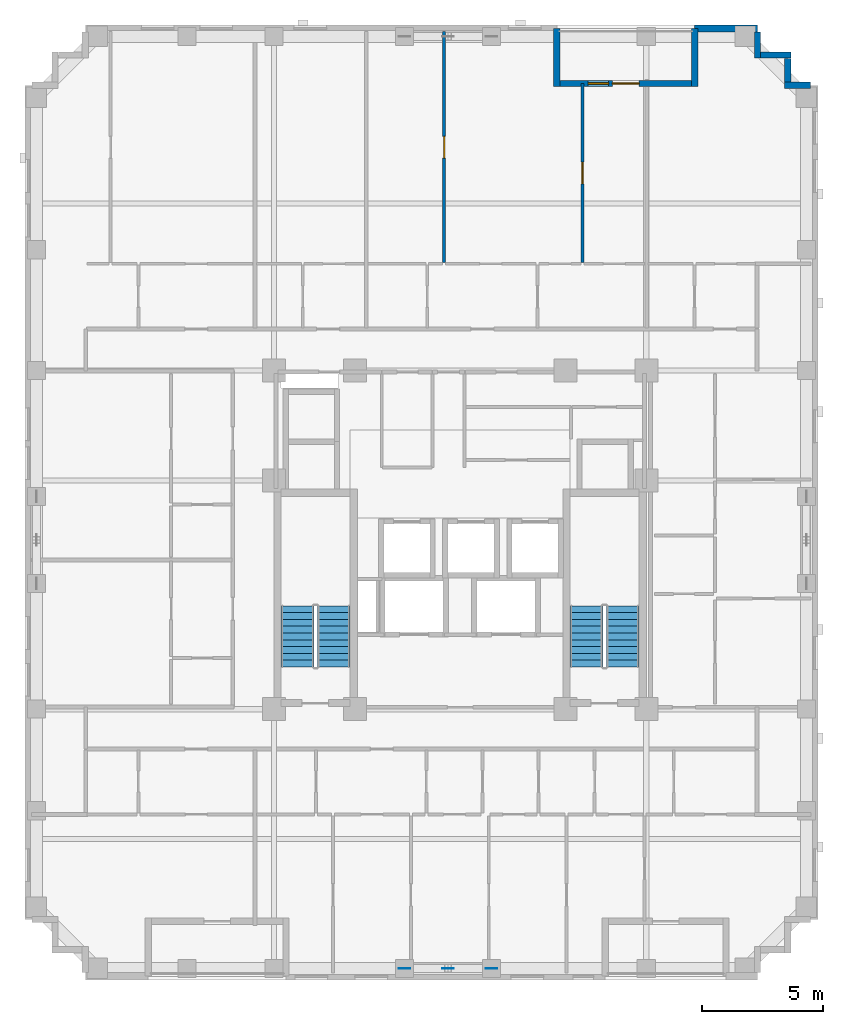
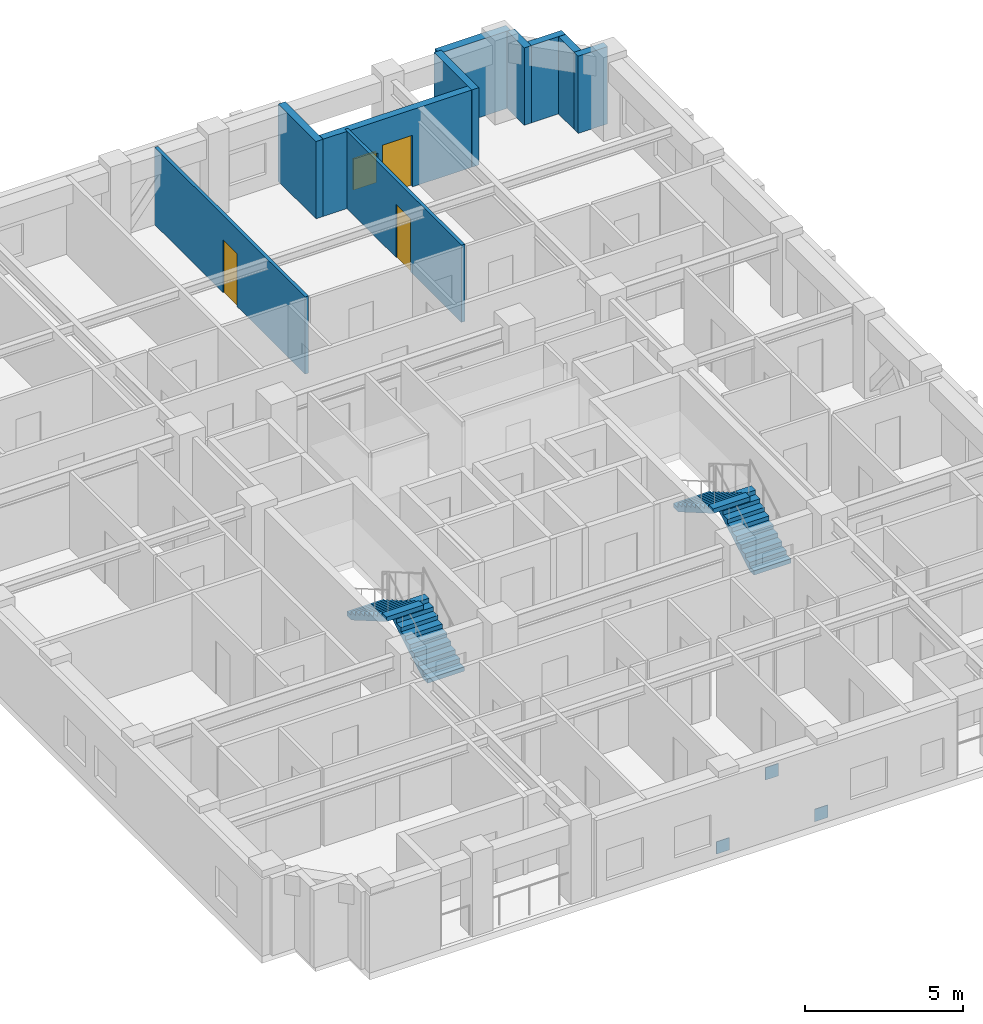
# One storey, part 8 of 11: 10 walls, 4 stair flights, 3 discrete accessories, 3 doors, 1 window, 4 openings, 2 elements without a shape of their own.
"""IFC4 building model written with IfcOpenShell, lengths in metres."""

from ifc_helpers import new_model, si_unit, derived_unit, direction, frame, frame_2d, origin, origin_2d, place, context, subcontext, project, spatial, polyline, rectangle, outline, extrude, material, layer, layer_set, type_object, element, fill, aggregate, save


model = new_model("IFC4")

# Units and contexts
model_context = context("Model", 3, precision=1e-05, world=origin(), true_north=direction((0.0, 1.0)))
body_context = subcontext(model_context, "Body", "Model", "MODEL_VIEW")
ifc_project = project(units=[si_unit("LENGTHUNIT", "METRE"), si_unit("AREAUNIT", "SQUARE_METRE"), si_unit("VOLUMEUNIT", "CUBIC_METRE"), si_unit("PLANEANGLEUNIT", "RADIAN"), si_unit("MASSUNIT", "GRAM", prefix="KILO"), derived_unit("THERMALTRANSMITTANCEUNIT", [(si_unit("MASSUNIT", "GRAM", prefix="KILO"), 1), (si_unit("TIMEUNIT", "SECOND"), -3), (si_unit("THERMODYNAMICTEMPERATUREUNIT", "KELVIN"), -1)])], contexts=[model_context])

# Site, building, storey
site_placement = place(None, origin())
site = spatial("IfcSite", under=ifc_project, at=site_placement, CompositionType="ELEMENT")
building_placement = place(site_placement, origin())
building = spatial("IfcBuilding", under=site, at=building_placement, Name="Korrvale Station Residences", CompositionType="ELEMENT")
storey_placement = place(building_placement, frame((0.0, 0.0, 140.64990234375)))
storey = spatial("IfcBuildingStorey", under=building, at=storey_placement, Name="L40", CompositionType="ELEMENT", Elevation=140.64990234375)

# Wall
ifc_material_1 = material(Name="Precast concrete C45/55", Category="concrete")
ifc_layer_1 = layer(ifc_material_1, 0.260009765625, Name="Precast concrete C45/55")
ifc_layer_set_1 = layer_set([ifc_layer_1], Name="Precast concrete C45/55")
wall_type_1 = type_object("IfcWallType", Name="WAL-EXT-LOG260", PredefinedType="SOLIDWALL", material=ifc_layer_set_1)
wall_1_placement = place(storey_placement, frame((29.5, 43.139892578125, 0.0), z_axis=(0.0, 0.0, 1.0), x_axis=(0.0, -1.0, 0.0)))
element("IfcWall", 1, at=wall_1_placement, inside=storey, type_object=wall_type_1, Name="L40 Recessed Loggia Wall BAL-L40-N1-L", PredefinedType="SOLIDWALL", context=body_context, shape_type="SweptSolid", body=[
    extrude(rectangle(XDim=2.39990234375, YDim=0.260009765625, at=frame_2d((1.199951171875, 0.0))), origin(), (0.0, 0.0, 1.0), 2.989990234375),
])

# Wall, openings, door, window
wall_2_placement = place(storey_placement, frame((29.634033203125, 40.8701171875, 0.0), z_axis=(0.0, 0.0, 1.0), x_axis=(1.0, 0.0, 0.0)))
wall_2 = element("IfcWall", 2, at=wall_2_placement, inside=storey, type_object=wall_type_1, Name="L40 Recessed Loggia Wall BAL-L40-N1-B", PredefinedType="SOLIDWALL", context=body_context, shape_type="SweptSolid", body=[
    extrude(rectangle(XDim=5.431884765625, YDim=0.260009765625, at=frame_2d((2.7158203125, 0.0))), origin(), (0.0, 0.0, 1.0), 2.989990234375),
])
opening_1_placement = place(wall_2_placement, frame((2.166015625, 0.0, 0.0)))
opening_1 = element("IfcOpeningElement", 3, at=opening_1_placement, cuts=wall_2, Name="Opening BD-01", PredefinedType="OPENING", context=body_context, shape_type="SweptSolid", body=[
    extrude(rectangle(XDim=1.10009765625, YDim=2.0, at=frame_2d((0.550048828125, 1.0))), frame((0.0, 0.14013671875, 0.0), z_axis=(0.0, -1.0, 0.0), x_axis=(1.0, 0.0, 0.0)), (0.0, 0.0, 1.0), 0.280029296875),
])
opening_2_placement = place(wall_2_placement, frame((1.156005859375, 0.0, 0.550048828125)))
opening_2 = element("IfcOpeningElement", 4, at=opening_2_placement, cuts=wall_2, Name="Opening W-11", PredefinedType="OPENING", context=body_context, shape_type="SweptSolid", body=[
    extrude(rectangle(XDim=0.85009765625, YDim=1.199951171875, at=frame_2d((0.425048828125, 0.60009765625))), frame((0.0, 0.14013671875, 0.0), z_axis=(0.0, -1.0, 0.0), x_axis=(1.0, 0.0, 0.0)), (0.0, 0.0, 1.0), 0.280029296875),
])
ifc_material_2 = material(Name="Exterior thermally broken aluminium glazed balcony door", Category="aluminium")
door_type_1 = type_object("IfcDoorType", Name="DR-EXT-BAL", OperationType="NOTDEFINED", PredefinedType="DOOR", material=ifc_material_2)
door_1_placement = place(opening_1_placement, origin())
door_1 = element("IfcDoor", 5, at=door_1_placement, inside=storey, type_object=door_type_1, Name="L40 Loggia Balcony Door BAL-L40-N1", OperationType="SINGLE_SWING_LEFT", OverallHeight=2.0, OverallWidth=1.10009765625, PredefinedType="DOOR", context=body_context, shape_type="SweptSolid", body=[
    extrude(rectangle(XDim=1.10009765625, YDim=2.0, at=frame_2d((0.550048828125, 1.0))), frame((0.0, 0.02490234375, 0.0), z_axis=(0.0, -1.0, 0.0), x_axis=(1.0, 0.0, 0.0)), (0.0, 0.0, 1.0), 0.050048828125),
])
fill(opening_1, door_1)
ifc_material_3 = material(Name="Thermally broken aluminium frame with triple low-e glazing", Category="aluminium")
window_type = type_object("IfcWindowType", Name="WIN-W11", PartitioningType="SINGLE_PANEL", PredefinedType="WINDOW", material=ifc_material_3)
window_placement = place(opening_2_placement, origin())
window = element("IfcWindow", 6, at=window_placement, inside=storey, type_object=window_type, Name="L40 Punched Window 13", OverallHeight=1.199951171875, OverallWidth=0.85009765625, PartitioningType="SINGLE_PANEL", PredefinedType="WINDOW", context=body_context, shape_type="SweptSolid", body=[
    extrude(rectangle(XDim=0.85009765625, YDim=1.199951171875, at=frame_2d((0.425048828125, 0.60009765625))), frame((0.0, 0.030029296875, 0.0), z_axis=(0.0, -1.0, 0.0), x_axis=(1.0, 0.0, 0.0)), (0.0, 0.0, 1.0), 0.06005859375),
])
fill(opening_2, window)

# Walls
wall_3_placement = place(storey_placement, frame((35.199951171875, 40.739990234375, 0.0), z_axis=(0.0, 0.0, 1.0), x_axis=(0.0, 1.0, 0.0)))
element("IfcWall", 7, at=wall_3_placement, inside=storey, type_object=wall_type_1, Name="L40 Recessed Loggia Wall BAL-L40-N1-R", PredefinedType="SOLIDWALL", context=body_context, shape_type="SweptSolid", body=[
    extrude(rectangle(XDim=2.39990234375, YDim=0.260009765625, at=frame_2d((1.199951171875, 0.0))), origin(), (0.0, 0.0, 1.0), 2.989990234375),
])
wall_4_placement = place(storey_placement, frame((37.800048828125, 42.998046875, 0.0), z_axis=(0.0, 0.0, 1.0), x_axis=(0.0, -1.0, 0.0)))
element("IfcWall", 8, at=wall_4_placement, inside=storey, type_object=wall_type_1, Name="L40 Serrated Corner Precast Step NE-1", PredefinedType="SOLIDWALL", context=body_context, shape_type="SweptSolid", body=[
    extrude(rectangle(XDim=1.078125, YDim=0.260009765625, at=frame_2d((0.5390625, 0.0))), origin(), (0.0, 0.0, 1.0), 2.989990234375),
])
wall_5_placement = place(storey_placement, frame((37.931884765625, 42.050048828125, 0.0), z_axis=(0.0, 0.0, 1.0), x_axis=(1.0, 0.0, 0.0)))
element("IfcWall", 9, at=wall_5_placement, inside=storey, type_object=wall_type_1, Name="L40 Serrated Corner Precast Step NE-2", PredefinedType="SOLIDWALL", context=body_context, shape_type="SweptSolid", body=[
    extrude(rectangle(XDim=1.248046875, YDim=0.260009765625, at=frame_2d((0.6240234375, 0.0))), origin(), (0.0, 0.0, 1.0), 2.989990234375),
])
wall_6_placement = place(storey_placement, frame((39.050048828125, 41.91796875, 0.0), z_axis=(0.0, 0.0, 1.0), x_axis=(0.0, -1.0, 0.0)))
element("IfcWall", 10, at=wall_6_placement, inside=storey, type_object=wall_type_1, Name="L40 Serrated Corner Precast Step NE-3", PredefinedType="SOLIDWALL", context=body_context, shape_type="SweptSolid", body=[
    extrude(rectangle(XDim=0.986083984375, YDim=0.260009765625, at=frame_2d((0.4931640625, 0.0))), origin(), (0.0, 0.0, 1.0), 2.989990234375),
])
wall_7_placement = place(storey_placement, frame((38.919921875, 40.800048828125, 0.0), z_axis=(0.0, 0.0, 1.0), x_axis=(1.0, 0.0, 0.0)))
element("IfcWall", 11, at=wall_7_placement, inside=storey, type_object=wall_type_1, Name="L40 Serrated Corner Precast Step NE-4", PredefinedType="SOLIDWALL", context=body_context, shape_type="SweptSolid", body=[
    extrude(rectangle(XDim=1.078125, YDim=0.260009765625, at=frame_2d((0.5390625, 0.0))), origin(), (0.0, 0.0, 1.0), 2.989990234375),
])
ifc_layer_2 = layer(ifc_material_1, 0.300048828125, Name="Precast concrete C45/55")
ifc_layer_set_2 = layer_set([ifc_layer_2], Name="Precast concrete C45/55")
wall_type_2 = type_object("IfcWallType", Name="WAL-EXT-PC300", PredefinedType="SOLIDWALL", material=ifc_layer_set_2)
wall_8_placement = place(storey_placement, frame((35.199951171875, 43.14990234375, 0.0), z_axis=(0.0, 0.0, 1.0), x_axis=(1.0, 0.0, 0.0)))
element("IfcWall", 12, at=wall_8_placement, inside=storey, type_object=wall_type_2, Name="L40 North Exterior Precast Wall 2", PredefinedType="SOLIDWALL", context=body_context, shape_type="SweptSolid", body=[
    extrude(rectangle(XDim=2.60009765625, YDim=0.300048828125, at=frame_2d((1.300048828125, 0.0))), origin(), (0.0, 0.0, 1.0), 2.989990234375),
])

# Wall, opening, door
ifc_material_4 = material(Name="Acoustic steel-stud gypsum board partition", Category="steel")
ifc_layer_3 = layer(ifc_material_4, 0.1201171875, Name="Acoustic steel-stud gypsum board partition")
ifc_layer_set_3 = layer_set([ifc_layer_3], Name="Acoustic steel-stud gypsum board partition")
wall_type_3 = type_object("IfcWallType", Name="WAL-PART-125", PredefinedType="PARTITIONING", material=ifc_layer_set_3)
wall_9_placement = place(storey_placement, frame((24.841064453125, 33.47998046875, 0.0), z_axis=(0.0, 0.0, 1.0), x_axis=(0.0, 1.0, 0.0)))
wall_9 = element("IfcWall", 13, at=wall_9_placement, inside=storey, type_object=wall_type_3, Name="L40 Suite Partition U05-V34", PredefinedType="PARTITIONING", context=body_context, shape_type="SweptSolid", body=[
    extrude(rectangle(XDim=9.5400390625, YDim=0.1201171875, at=frame_2d((4.77001953125, 0.0))), origin(), (0.0, 0.0, 1.0), 2.989990234375),
])
opening_3_placement = place(wall_9_placement, frame((4.304931640625, 0.0, 0.0)))
opening_3 = element("IfcOpeningElement", 14, at=opening_3_placement, cuts=wall_9, Name="Opening DI-900", PredefinedType="OPENING", context=body_context, shape_type="SweptSolid", body=[
    extrude(rectangle(XDim=0.89990234375, YDim=2.050048828125, at=frame_2d((0.449951171875, 1.02490234375))), frame((0.0, 0.070068359375, 0.0), z_axis=(0.0, -1.0, 0.0), x_axis=(1.0, 0.0, 0.0)), (0.0, 0.0, 1.0), 0.14013671875),
])
ifc_material_5 = material(Name="Painted solid-core timber interior room door", Category="wood")
door_type_2 = type_object("IfcDoorType", Name="DR-INT-900", OperationType="NOTDEFINED", PredefinedType="DOOR", material=ifc_material_5)
door_2_placement = place(opening_3_placement, origin())
door_2 = element("IfcDoor", 15, at=door_2_placement, inside=storey, type_object=door_type_2, Name="L40 Studio Apartment L40-U05 Walk-In Wardrobe Door", OperationType="SINGLE_SWING_RIGHT", OverallHeight=2.050048828125, OverallWidth=0.89990234375, PredefinedType="DOOR", context=body_context, shape_type="SweptSolid", body=[
    extrude(rectangle(XDim=0.89990234375, YDim=2.050048828125, at=frame_2d((0.449951171875, 1.02490234375))), frame((0.0, 0.02490234375, 0.0), z_axis=(0.0, -1.0, 0.0), x_axis=(1.0, 0.0, 0.0)), (0.0, 0.0, 1.0), 0.050048828125),
])
fill(opening_3, door_2)

wall_10_placement = place(storey_placement, frame((30.56005859375, 33.47998046875, 0.0), z_axis=(0.0, 0.0, 1.0), x_axis=(0.0, 1.0, 0.0)))
wall_10 = element("IfcWall", 16, at=wall_10_placement, inside=storey, type_object=wall_type_3, Name="L40 Suite Partition U05-V45", PredefinedType="PARTITIONING", context=body_context, shape_type="SweptSolid", body=[
    extrude(rectangle(XDim=7.39013671875, YDim=0.1201171875, at=frame_2d((3.695068359375, 0.0))), origin(), (0.0, 0.0, 1.0), 2.989990234375),
])
opening_4_placement = place(wall_10_placement, frame((3.2451171875, 0.0, 0.0)))
opening_4 = element("IfcOpeningElement", 17, at=opening_4_placement, cuts=wall_10, Name="Opening DI-900", PredefinedType="OPENING", context=body_context, shape_type="SweptSolid", body=[
    extrude(rectangle(XDim=0.89990234375, YDim=2.050048828125, at=frame_2d((0.449951171875, 1.02490234375))), frame((0.0, 0.070068359375, 0.0), z_axis=(0.0, -1.0, 0.0), x_axis=(1.0, 0.0, 0.0)), (0.0, 0.0, 1.0), 0.14013671875),
])
door_3_placement = place(opening_4_placement, origin())
door_3 = element("IfcDoor", 18, at=door_3_placement, inside=storey, type_object=door_type_2, Name="L40 Studio Apartment L40-U05 Studio Living Room Door", OperationType="SINGLE_SWING_LEFT", OverallHeight=2.050048828125, OverallWidth=0.89990234375, PredefinedType="DOOR", context=body_context, shape_type="SweptSolid", body=[
    extrude(rectangle(XDim=0.89990234375, YDim=2.050048828125, at=frame_2d((0.449951171875, 1.02490234375))), frame((0.0, 0.02490234375, 0.0), z_axis=(0.0, -1.0, 0.0), x_axis=(1.0, 0.0, 0.0)), (0.0, 0.0, 1.0), 0.050048828125),
])
fill(opening_4, door_3)

# Stair, stair flights
ifc_material_6 = material(Name="Concrete C50/60", Category="concrete")
stair_type = type_object("IfcStairType", Name="STR-DL-1350-20R-1625", PredefinedType="HALF_TURN_STAIR", material=ifc_material_6)
stair_1_placement = place(storey_placement, origin())
stair_1 = element("IfcStair", 19, at=stair_1_placement, inside=storey, type_object=stair_type, Name="L40 Exit Stair 1", PredefinedType="HALF_TURN_STAIR")
stair_flight_type = type_object("IfcStairFlightType", Name="FLT-DL-1350-20R-1625", PredefinedType="STRAIGHT", material=ifc_material_6)
stair_flight_1_placement = place(storey_placement, frame((20.27490234375, 16.75, 0.0), z_axis=(0.0, 0.0, 1.0), x_axis=(0.0, 1.0, 0.0)))
stair_flight_1 = element("IfcStairFlight", 20, at=stair_flight_1_placement, type_object=stair_flight_type, Name="ST-1 flight 1", NumberOfRisers=10, NumberOfTreads=9, PredefinedType="STRAIGHT", RiserHeight=0.1625, TreadLength=0.28, context=body_context, shape_type="SweptSolid", body=[
    extrude(outline(polyline([(0.0, 0.0), (0.0, 0.16259765625), (0.280029296875, 0.16259765625), (0.280029296875, 0.324951171875), (0.56005859375, 0.324951171875), (0.56005859375, 0.487548828125), (0.840087890625, 0.487548828125), (0.840087890625, 0.64990234375), (1.1201171875, 0.64990234375), (1.1201171875, 0.8125), (1.39990234375, 0.8125), (1.39990234375, 0.97509765625), (1.679931640625, 0.97509765625), (1.679931640625, 1.137451171875), (1.9599609375, 1.137451171875), (1.9599609375, 1.300048828125), (2.239990234375, 1.300048828125), (2.239990234375, 1.46240234375), (2.52001953125, 1.46240234375), (2.52001953125, 1.625), (2.52001953125, 1.2890625), (0.298583984375, 0.0), (0.0, 0.0)])), frame((0.0, 0.675048828125, 0.0), z_axis=(0.0, -1.0, 0.0), x_axis=(1.0, 0.0, 0.0)), (0.0, 0.0, 1.0), 1.35009765625),
])
stair_flight_2_placement = place(storey_placement, frame((18.77490234375, 19.27001953125, 1.625), z_axis=(0.0, 0.0, 1.0), x_axis=(0.0, -1.0, 0.0)))
stair_flight_2 = element("IfcStairFlight", 21, at=stair_flight_2_placement, type_object=stair_flight_type, Name="ST-1 flight 2", NumberOfRisers=10, NumberOfTreads=9, PredefinedType="STRAIGHT", RiserHeight=0.1625, TreadLength=0.28, context=body_context, shape_type="SweptSolid", body=[
    extrude(outline(polyline([(0.0, 0.0), (0.0, 0.16259765625), (0.280029296875, 0.16259765625), (0.280029296875, 0.324951171875), (0.56005859375, 0.324951171875), (0.56005859375, 0.487548828125), (0.840087890625, 0.487548828125), (0.840087890625, 0.64990234375), (1.1201171875, 0.64990234375), (1.1201171875, 0.8125), (1.39990234375, 0.8125), (1.39990234375, 0.97509765625), (1.679931640625, 0.97509765625), (1.679931640625, 1.137451171875), (1.9599609375, 1.137451171875), (1.9599609375, 1.300048828125), (2.239990234375, 1.300048828125), (2.239990234375, 1.46240234375), (2.52001953125, 1.46240234375), (2.52001953125, 1.625), (2.52001953125, 1.2890625), (0.298583984375, 0.0), (0.0, 0.0)])), frame((0.0, 0.675048828125, 0.0), z_axis=(0.0, -1.0, 0.0), x_axis=(1.0, 0.0, 0.0)), (0.0, 0.0, 1.0), 1.35009765625),
])
aggregate(stair_1, [stair_flight_1, stair_flight_2])

stair_2_placement = place(storey_placement, origin())
stair_2 = element("IfcStair", 22, at=stair_2_placement, inside=storey, type_object=stair_type, Name="L40 Exit Stair 2", PredefinedType="HALF_TURN_STAIR")
stair_flight_3_placement = place(storey_placement, frame((32.22509765625, 16.75, 0.0), z_axis=(0.0, 0.0, 1.0), x_axis=(0.0, 1.0, 0.0)))
stair_flight_3 = element("IfcStairFlight", 23, at=stair_flight_3_placement, type_object=stair_flight_type, Name="ST-2 flight 1", NumberOfRisers=10, NumberOfTreads=9, PredefinedType="STRAIGHT", RiserHeight=0.1625, TreadLength=0.28, context=body_context, shape_type="SweptSolid", body=[
    extrude(outline(polyline([(0.0, 0.0), (0.0, 0.16259765625), (0.280029296875, 0.16259765625), (0.280029296875, 0.324951171875), (0.56005859375, 0.324951171875), (0.56005859375, 0.487548828125), (0.840087890625, 0.487548828125), (0.840087890625, 0.64990234375), (1.1201171875, 0.64990234375), (1.1201171875, 0.8125), (1.39990234375, 0.8125), (1.39990234375, 0.97509765625), (1.679931640625, 0.97509765625), (1.679931640625, 1.137451171875), (1.9599609375, 1.137451171875), (1.9599609375, 1.300048828125), (2.239990234375, 1.300048828125), (2.239990234375, 1.46240234375), (2.52001953125, 1.46240234375), (2.52001953125, 1.625), (2.52001953125, 1.2890625), (0.298583984375, 0.0), (0.0, 0.0)])), frame((0.0, 0.675048828125, 0.0), z_axis=(0.0, -1.0, 0.0), x_axis=(1.0, 0.0, 0.0)), (0.0, 0.0, 1.0), 1.35009765625),
])
stair_flight_4_placement = place(storey_placement, frame((30.72509765625, 19.27001953125, 1.625), z_axis=(0.0, 0.0, 1.0), x_axis=(0.0, -1.0, 0.0)))
stair_flight_4 = element("IfcStairFlight", 24, at=stair_flight_4_placement, type_object=stair_flight_type, Name="ST-2 flight 2", NumberOfRisers=10, NumberOfTreads=9, PredefinedType="STRAIGHT", RiserHeight=0.1625, TreadLength=0.28, context=body_context, shape_type="SweptSolid", body=[
    extrude(outline(polyline([(0.0, 0.0), (0.0, 0.16259765625), (0.280029296875, 0.16259765625), (0.280029296875, 0.324951171875), (0.56005859375, 0.324951171875), (0.56005859375, 0.487548828125), (0.840087890625, 0.487548828125), (0.840087890625, 0.64990234375), (1.1201171875, 0.64990234375), (1.1201171875, 0.8125), (1.39990234375, 0.8125), (1.39990234375, 0.97509765625), (1.679931640625, 0.97509765625), (1.679931640625, 1.137451171875), (1.9599609375, 1.137451171875), (1.9599609375, 1.300048828125), (2.239990234375, 1.300048828125), (2.239990234375, 1.46240234375), (2.52001953125, 1.46240234375), (2.52001953125, 1.625), (2.52001953125, 1.2890625), (0.298583984375, 0.0), (0.0, 0.0)])), frame((0.0, 0.675048828125, 0.0), z_axis=(0.0, -1.0, 0.0), x_axis=(1.0, 0.0, 0.0)), (0.0, 0.0, 1.0), 1.35009765625),
])
aggregate(stair_2, [stair_flight_3, stair_flight_4])

# Discrete accessories
ifc_material_7 = material(Name="Steel S355", Category="steel")
ifc_layer_4 = layer(ifc_material_7, 0.02490234375, Name="Steel S355")
ifc_layer_set_4 = layer_set([ifc_layer_4], Name="Steel S355")
discrete_accessory_type = type_object("IfcDiscreteAccessoryType", Name="ACC-GUSSET-25", PredefinedType="BRACKET", material=ifc_layer_set_4)
for number, where, z_axis, x_axis, name in (
    (25, (23.199951171875, 4.280029296875, -0.219970703125), (0.0, 0.0, 1.0), (1.0, 0.0, 0.0), "L40 S Brace End Gusset Connection A"),
    (26, (26.800048828125, 4.280029296875, -0.219970703125), (0.0, 0.0, 1.0), (1.0, 0.0, 0.0), "L40 S Brace End Gusset Connection B"),
    (27, (25.0, 4.280029296875, 2.02001953125), (0.0, 0.0, 1.0), (1.0, 0.0, 0.0), "L40 S Brace End Gusset Connection M"),
):
    element("IfcDiscreteAccessory", number, at=place(storey_placement, frame(where, z_axis=z_axis, x_axis=x_axis)), inside=storey, type_object=discrete_accessory_type, Name=name, PredefinedType="BRACKET", context=body_context, shape_type="SweptSolid", body=[
        extrude(rectangle(XDim=0.47998046875, YDim=0.02490234375, at=origin_2d()), origin(), (0.0, 0.0, 1.0), 0.47998046875),
    ])

save(model, "model.ifc")
